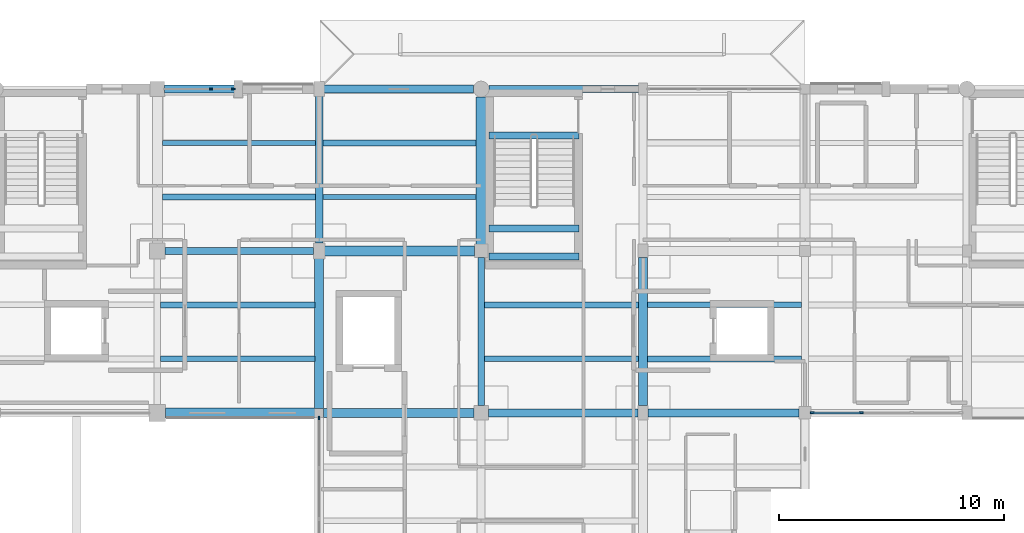
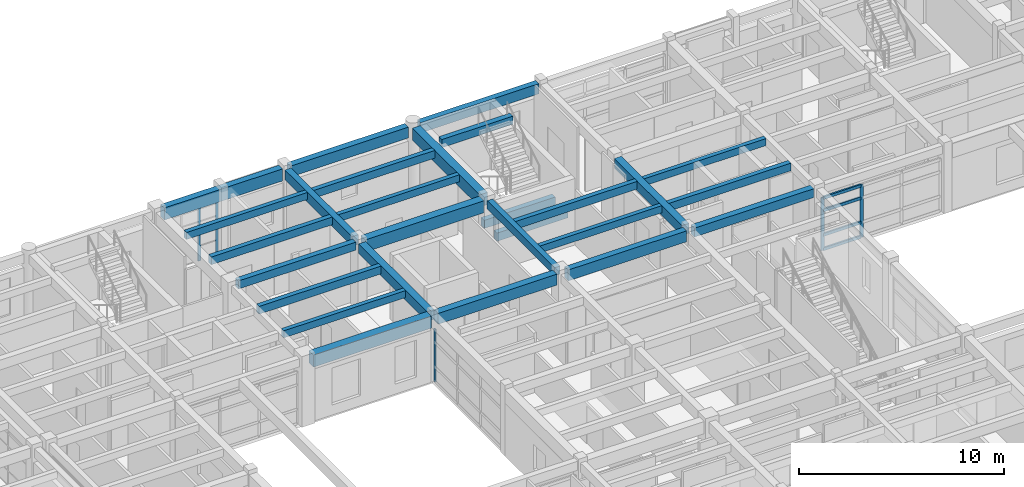
# One storey, part 37 of 110: 27 beams, 9 members, 3 elements without a shape of their own.
"""IFC4 building model written with IfcOpenShell, lengths in metres."""

from ifc_helpers import new_model, si_unit, direction, frame, origin, origin_2d, place, context, subcontext, project, spatial, rectangle, extrude, material, material_profile, profile_set, type_object, element, aggregate, save


model = new_model("IFC4")

# Units and contexts
model_context = context("Model", 3, precision=1e-05, world=origin(), true_north=direction((0.0, 1.0)))
body_context = subcontext(model_context, "Body", "Model", "MODEL_VIEW")
ifc_project = project(units=[si_unit("LENGTHUNIT", "METRE"), si_unit("AREAUNIT", "SQUARE_METRE"), si_unit("VOLUMEUNIT", "CUBIC_METRE"), si_unit("PLANEANGLEUNIT", "RADIAN"), si_unit("MASSUNIT", "GRAM", prefix="KILO")], contexts=[model_context])

# Site, building, storey
site_placement = place(None, origin())
site = spatial("IfcSite", under=ifc_project, at=site_placement, CompositionType="ELEMENT")
building_placement = place(site_placement, origin())
building = spatial("IfcBuilding", under=site, at=building_placement, Name="Steenspoor Specialist Clinic", CompositionType="ELEMENT")
storey_placement = place(building_placement, frame((0.0, 0.0, 4.800048828125)))
storey = spatial("IfcBuildingStorey", under=building, at=storey_placement, Name="L01", CompositionType="ELEMENT", Elevation=4.800048828125)

# Beams
ifc_material_1 = material(Name="Concrete C35/45", Category="concrete")
ifc_material_profile_1 = material_profile(ifc_material_1, rectangle(XDim=0.300048828125, YDim=0.47998046875, at=origin_2d()), Name="RC-BM-300X480")
ifc_profile_set_1 = profile_set([ifc_material_profile_1], Name="Concrete C35/45")
beam_type_1 = type_object("IfcBeamType", Name="BM-RC-300X480", PredefinedType="BEAM", material=ifc_profile_set_1)
for number, where, z_axis, x_axis, name in (
    (1, (81.550048828125, 102.14990234375, 1.659912109375), (1.0, 0.0, 0.0), (0.0, 1.0, 0.0), "Stair Mid-Landing Bearer 1 ST-V4C L01"),
    (2, (81.550048828125, 100.89990234375, 1.659912109375), (1.0, 0.0, 0.0), (0.0, 1.0, 0.0), "Stair Mid-Landing Bearer 2 ST-V4C L01"),
    (3, (81.550048828125, 106.280029296875, 3.9599609375), (1.0, 0.0, 0.0), (0.0, 1.0, 0.0), "Stair Well Trimmer Beam ST-V4C L01"),
):
    element("IfcBeam", number, at=place(storey_placement, frame(where, z_axis=z_axis, x_axis=x_axis)), inside=storey, type_object=beam_type_1, Name=name, PredefinedType="BEAM", context=body_context, shape_type="SweptSolid", body=[
        extrude(rectangle(XDim=0.300048828125, YDim=0.47998046875, at=origin_2d()), origin(), (0.0, 0.0, 1.0), 4.0),
    ])
beam_1_placement = place(storey_placement, frame((67.14501953125, 101.14990234375, 3.7099609375), z_axis=(1.0, 0.0, 0.0), x_axis=(0.0, 1.0, 0.0)))
element("IfcBeam", 4, at=beam_1_placement, inside=storey, type_object=beam_type_1, Name="BM-V4-L01-X0507", PredefinedType="BEAM", context=body_context, shape_type="SweptSolid", body=[
    extrude(rectangle(XDim=0.300048828125, YDim=0.47998046875, at=origin_2d()), origin(), (0.0, 0.0, 1.0), 6.60986328125),
])
beam_2_placement = place(storey_placement, frame((81.199951171875, 94.27001953125, 3.7099609375), z_axis=(0.0, 1.0, 0.0), x_axis=(-1.0, 0.0, 0.0)))
element("IfcBeam", 5, at=beam_2_placement, inside=storey, type_object=beam_type_1, Name="BM-V4-L01-Y0545", PredefinedType="BEAM", context=body_context, shape_type="SweptSolid", body=[
    extrude(rectangle(XDim=0.300048828125, YDim=0.47998046875, at=origin_2d()), origin(), (0.0, 0.0, 1.0), 6.5849609375),
])
ifc_material_profile_2 = material_profile(ifc_material_1, rectangle(XDim=0.35009765625, YDim=0.52001953125, at=origin_2d()), Name="RC-BM-350X520")
ifc_profile_set_2 = profile_set([ifc_material_profile_2], Name="Concrete C35/45")
beam_type_2 = type_object("IfcBeamType", Name="BM-RC-350X520", PredefinedType="BEAM", material=ifc_profile_set_2)
beam_3_placement = place(storey_placement, frame((88.6201171875, 93.949951171875, 3.68994140625), z_axis=(1.0, 0.0, 0.0), x_axis=(0.0, 1.0, 0.0)))
element("IfcBeam", 6, at=beam_3_placement, inside=storey, type_object=beam_type_2, Name="BM-V4-L01-X0502", PredefinedType="BEAM", context=body_context, shape_type="SweptSolid", body=[
    extrude(rectangle(XDim=0.35009765625, YDim=0.52001953125, at=origin_2d()), origin(), (0.0, 0.0, 1.0), 6.7099609375),
])
ifc_material_profile_3 = material_profile(ifc_material_1, rectangle(XDim=0.35009765625, YDim=0.580078125, at=origin_2d()), Name="RC-BM-350X580")
ifc_profile_set_3 = profile_set([ifc_material_profile_3], Name="Concrete C35/45")
beam_type_3 = type_object("IfcBeamType", Name="BM-RC-350X580", PredefinedType="BEAM", material=ifc_profile_set_3)
beam_4_placement = place(storey_placement, frame((74.0, 101.4951171875, 3.659912109375), z_axis=(0.0, 1.0, 0.0), x_axis=(-1.0, 0.0, 0.0)))
element("IfcBeam", 7, at=beam_4_placement, inside=storey, type_object=beam_type_3, Name="BM-V4-L01-Y0541", PredefinedType="BEAM", context=body_context, shape_type="SweptSolid", body=[
    extrude(rectangle(XDim=0.35009765625, YDim=0.580078125, at=origin_2d()), origin(), (0.0, 0.0, 1.0), 6.534912109375),
])
ifc_material_profile_4 = material_profile(ifc_material_1, rectangle(XDim=0.35009765625, YDim=0.64990234375, at=origin_2d()), Name="RC-BM-350X650")
ifc_profile_set_4 = profile_set([ifc_material_profile_4], Name="Concrete C35/45")
beam_type_4 = type_object("IfcBeamType", Name="BM-RC-350X650", PredefinedType="BEAM", material=ifc_profile_set_4)
beam_5_placement = place(storey_placement, frame((81.52001953125, 93.949951171875, 3.625), z_axis=(1.0, 0.0, 0.0), x_axis=(0.0, 1.0, 0.0)))
element("IfcBeam", 8, at=beam_5_placement, inside=storey, type_object=beam_type_4, Name="BM-V4-L01-X0501", PredefinedType="BEAM", context=body_context, shape_type="SweptSolid", body=[
    extrude(rectangle(XDim=0.35009765625, YDim=0.64990234375, at=origin_2d()), origin(), (0.0, 0.0, 1.0), 6.659912109375),
])
ifc_material_profile_5 = material_profile(ifc_material_1, rectangle(XDim=0.39990234375, YDim=0.580078125, at=origin_2d()), Name="RC-BM-400X580")
ifc_profile_set_5 = profile_set([ifc_material_profile_5], Name="Concrete C35/45")
beam_type_5 = type_object("IfcBeamType", Name="BM-RC-400X580", PredefinedType="BEAM", material=ifc_profile_set_5)
beam_6_placement = place(storey_placement, frame((74.0, 94.14501953125, 3.659912109375), z_axis=(0.0, 1.0, 0.0), x_axis=(-1.0, 0.0, 0.0)))
element("IfcBeam", 9, at=beam_6_placement, inside=storey, type_object=beam_type_5, Name="BM-V4-L01-Y0540", PredefinedType="BEAM", context=body_context, shape_type="SweptSolid", body=[
    extrude(rectangle(XDim=0.39990234375, YDim=0.580078125, at=origin_2d()), origin(), (0.0, 0.0, 1.0), 6.659912109375),
])
beam_7_placement = place(storey_placement, frame((88.39990234375, 94.27001953125, 3.659912109375), z_axis=(0.0, 1.0, 0.0), x_axis=(-1.0, 0.0, 0.0)))
element("IfcBeam", 10, at=beam_7_placement, inside=storey, type_object=beam_type_5, Name="BM-V4-L01-Y0550", PredefinedType="BEAM", context=body_context, shape_type="SweptSolid", body=[
    extrude(rectangle(XDim=0.39990234375, YDim=0.580078125, at=origin_2d()), origin(), (0.0, 0.0, 1.0), 6.5849609375),
])
ifc_material_profile_6 = material_profile(ifc_material_1, rectangle(XDim=0.39990234375, YDim=0.64990234375, at=origin_2d()), Name="RC-BM-400X650")
ifc_profile_set_6 = profile_set([ifc_material_profile_6], Name="Concrete C35/45")
beam_type_6 = type_object("IfcBeamType", Name="BM-RC-400X650", PredefinedType="BEAM", material=ifc_profile_set_6)
beam_8_placement = place(storey_placement, frame((74.195068359375, 93.949951171875, 3.625), z_axis=(1.0, 0.0, 0.0), x_axis=(0.0, 1.0, 0.0)))
element("IfcBeam", 11, at=beam_8_placement, inside=storey, type_object=beam_type_6, Name="BM-V4-L01-X0500", PredefinedType="BEAM", context=body_context, shape_type="SweptSolid", body=[
    extrude(rectangle(XDim=0.39990234375, YDim=0.64990234375, at=origin_2d()), origin(), (0.0, 0.0, 1.0), 6.684814453125),
])
ifc_material_profile_7 = material_profile(ifc_material_1, rectangle(XDim=0.449951171875, YDim=0.719970703125, at=origin_2d()), Name="RC-BM-450X720")
ifc_profile_set_7 = profile_set([ifc_material_profile_7], Name="Concrete C35/45")
beam_type_7 = type_object("IfcBeamType", Name="BM-RC-450X720", PredefinedType="BEAM", material=ifc_profile_set_7)
beam_9_placement = place(storey_placement, frame((67.169921875, 93.949951171875, 3.58984375), z_axis=(1.0, 0.0, 0.0), x_axis=(0.0, 1.0, 0.0)))
element("IfcBeam", 12, at=beam_9_placement, inside=storey, type_object=beam_type_7, Name="BM-V4-L01-X0499", PredefinedType="BEAM", context=body_context, shape_type="SweptSolid", body=[
    extrude(rectangle(XDim=0.449951171875, YDim=0.719970703125, at=origin_2d()), origin(), (0.0, 0.0, 1.0), 6.635009765625),
])
beam_10_placement = place(storey_placement, frame((74.2451171875, 101.14990234375, 3.58984375), z_axis=(1.0, 0.0, 0.0), x_axis=(0.0, 1.0, 0.0)))
element("IfcBeam", 13, at=beam_10_placement, inside=storey, type_object=beam_type_7, Name="BM-V4-L01-X0508", PredefinedType="BEAM", context=body_context, shape_type="SweptSolid", body=[
    extrude(rectangle(XDim=0.449951171875, YDim=0.719970703125, at=origin_2d()), origin(), (0.0, 0.0, 1.0), 6.659912109375),
])
beam_11_placement = place(storey_placement, frame((81.199951171875, 101.445068359375, 3.58984375), z_axis=(0.0, 1.0, 0.0), x_axis=(-1.0, 0.0, 0.0)))
element("IfcBeam", 14, at=beam_11_placement, inside=storey, type_object=beam_type_7, Name="BM-V4-L01-Y0546", PredefinedType="BEAM", context=body_context, shape_type="SweptSolid", body=[
    extrude(rectangle(XDim=0.449951171875, YDim=0.719970703125, at=origin_2d()), origin(), (0.0, 0.0, 1.0), 6.559814453125),
])

# Curtain wall, member
ifc_material_2 = material(Name="Thermally broken aluminium and low-emissivity glass", Category="aluminium")
curtain_wall_type_1 = type_object("IfcCurtainWallType", Name="CW-HALL-480X820", PredefinedType="USERDEFINED", material=ifc_material_2)
curtain_wall_1_placement = place(storey_placement, origin())
curtain_wall_1 = element("IfcCurtainWall", 15, at=curtain_wall_1_placement, inside=storey, type_object=curtain_wall_type_1, Name="Unitised Curtain Wall CW-V4-L01-075", ObjectType="UNITISED GLAZING", PredefinedType="USERDEFINED")
ifc_material_3 = material(Name="Thermally broken aluminium 6063-T6", Category="aluminium")
ifc_material_profile_8 = material_profile(ifc_material_3, rectangle(XDim=0.06494140625, YDim=0.14990234375, at=origin_2d()), Name="CWM-65X150")
ifc_profile_set_8 = profile_set([ifc_material_profile_8], Name="Thermally broken aluminium 6063-T6")
member_type_1 = type_object("IfcMemberType", Name="CW-MULL-65X150", PredefinedType="MULLION", material=ifc_profile_set_8)
member_1_placement = place(storey_placement, frame((74.0, 93.717529296875, 0.0), z_axis=(0.0, 0.0, 1.0), x_axis=(-1.0, 0.0, 0.0)))
member_1 = element("IfcMember", 16, at=member_1_placement, type_object=member_type_1, Name="CW-03 mullion 4", PredefinedType="MULLION", context=body_context, shape_type="SweptSolid", body=[
    extrude(rectangle(XDim=0.06494140625, YDim=0.14990234375, at=origin_2d()), origin(), (0.0, 0.0, 1.0), 3.1298828125),
])
aggregate(curtain_wall_1, [member_1])

# Curtain wall, members
curtain_wall_type_2 = type_object("IfcCurtainWallType", Name="CW-WLK-640X340", PredefinedType="USERDEFINED", material=ifc_material_2)
curtain_wall_2_placement = place(storey_placement, origin())
curtain_wall_2 = element("IfcCurtainWall", 17, at=curtain_wall_2_placement, inside=storey, type_object=curtain_wall_type_2, Name="Unitised Curtain Wall CW-V4-L01-068", ObjectType="UNITISED GLAZING", PredefinedType="USERDEFINED")
ifc_material_profile_9 = material_profile(ifc_material_3, rectangle(XDim=0.070068359375, YDim=0.1650390625, at=origin_2d()), Name="CWM-70X165")
ifc_profile_set_9 = profile_set([ifc_material_profile_9], Name="Thermally broken aluminium 6063-T6")
member_type_2 = type_object("IfcMemberType", Name="CW-MULL-70X165", PredefinedType="MULLION", material=ifc_profile_set_9)
member_2_placement = place(storey_placement, frame((69.181640625, 108.35009765625, 0.0), z_axis=(0.0, 0.0, 1.0), x_axis=(0.0, 1.0, 0.0)))
member_2 = element("IfcMember", 18, at=member_2_placement, type_object=member_type_2, Name="CW-20 mullion 3", PredefinedType="MULLION", context=body_context, shape_type="SweptSolid", body=[
    extrude(rectangle(XDim=0.070068359375, YDim=0.1650390625, at=origin_2d()), origin(), (0.0, 0.0, 1.0), 3.1298828125),
])
member_3_placement = place(storey_placement, frame((70.175048828125, 108.35009765625, 0.0), z_axis=(0.0, 0.0, 1.0), x_axis=(0.0, 1.0, 0.0)))
member_3 = element("IfcMember", 19, at=member_3_placement, type_object=member_type_2, Name="CW-20 mullion 4", PredefinedType="MULLION", context=body_context, shape_type="SweptSolid", body=[
    extrude(rectangle(XDim=0.070068359375, YDim=0.1650390625, at=origin_2d()), origin(), (0.0, 0.0, 1.0), 3.1298828125),
])
aggregate(curtain_wall_2, [member_2, member_3])

curtain_wall_type_3 = type_object("IfcCurtainWallType", Name="CW-L00-360X415", PredefinedType="USERDEFINED", material=ifc_material_2)
curtain_wall_3_placement = place(storey_placement, origin())
curtain_wall_3 = element("IfcCurtainWall", 20, at=curtain_wall_3_placement, inside=storey, type_object=curtain_wall_type_3, Name="Unitised Curtain Wall CW-V4-L01-079", ObjectType="UNITISED GLAZING", PredefinedType="USERDEFINED")
ifc_material_profile_10 = material_profile(ifc_material_3, rectangle(XDim=0.080078125, YDim=0.179931640625, at=origin_2d()), Name="CWM-80X180")
ifc_profile_set_10 = profile_set([ifc_material_profile_10], Name="Thermally broken aluminium 6063-T6")
member_type_3 = type_object("IfcMemberType", Name="CW-MULL-80X180", PredefinedType="MULLION", material=ifc_profile_set_10)
member_4_placement = place(storey_placement, frame((98.1083984375, 93.949951171875, 0.0), z_axis=(0.0, 0.0, 1.0), x_axis=(0.0, -1.0, 0.0)))
member_4 = element("IfcMember", 21, at=member_4_placement, type_object=member_type_3, Name="CW-07 mullion 3", PredefinedType="MULLION", context=body_context, shape_type="SweptSolid", body=[
    extrude(rectangle(XDim=0.080078125, YDim=0.179931640625, at=origin_2d()), origin(), (0.0, 0.0, 1.0), 3.1298828125),
])
member_5_placement = place(storey_placement, frame((95.9150390625, 93.949951171875, 0.0), z_axis=(0.0, 0.0, 1.0), x_axis=(0.0, -1.0, 0.0)))
member_5 = element("IfcMember", 22, at=member_5_placement, type_object=member_type_3, Name="CW-07 mullion 4", PredefinedType="MULLION", context=body_context, shape_type="SweptSolid", body=[
    extrude(rectangle(XDim=0.080078125, YDim=0.179931640625, at=origin_2d()), origin(), (0.0, 0.0, 1.0), 3.1298828125),
])
ifc_material_profile_11 = material_profile(ifc_material_3, rectangle(XDim=0.090087890625, YDim=0.175048828125, at=origin_2d()), Name="CWT-90X175")
ifc_profile_set_11 = profile_set([ifc_material_profile_11], Name="Thermally broken aluminium 6063-T6")
member_type_4 = type_object("IfcMemberType", Name="CW-TRAN-90X175", PredefinedType="USERDEFINED", material=ifc_profile_set_11)
member_6_placement = place(storey_placement, frame((98.068359375, 93.949951171875, 0.044921875), z_axis=(-1.0, 0.0, 0.0), x_axis=(0.0, -1.0, 0.0)))
member_6 = element("IfcMember", 23, at=member_6_placement, type_object=member_type_4, Name="CW-07 transom 3.1", ObjectType="TRANSOM", PredefinedType="USERDEFINED", context=body_context, shape_type="SweptSolid", body=[
    extrude(rectangle(XDim=0.090087890625, YDim=0.175048828125, at=origin_2d()), origin(), (0.0, 0.0, 1.0), 2.11328125),
])
member_7_placement = place(storey_placement, frame((98.068359375, 93.949951171875, 0.89990234375), z_axis=(-1.0, 0.0, 0.0), x_axis=(0.0, -1.0, 0.0)))
member_7 = element("IfcMember", 24, at=member_7_placement, type_object=member_type_4, Name="CW-07 transom 3.2", ObjectType="TRANSOM", PredefinedType="USERDEFINED", context=body_context, shape_type="SweptSolid", body=[
    extrude(rectangle(XDim=0.090087890625, YDim=0.175048828125, at=origin_2d()), origin(), (0.0, 0.0, 1.0), 2.11328125),
])
member_8_placement = place(storey_placement, frame((98.068359375, 93.949951171875, 2.349853515625), z_axis=(-1.0, 0.0, 0.0), x_axis=(0.0, -1.0, 0.0)))
member_8 = element("IfcMember", 25, at=member_8_placement, type_object=member_type_4, Name="CW-07 transom 3.3", ObjectType="TRANSOM", PredefinedType="USERDEFINED", context=body_context, shape_type="SweptSolid", body=[
    extrude(rectangle(XDim=0.090087890625, YDim=0.175048828125, at=origin_2d()), origin(), (0.0, 0.0, 1.0), 2.11328125),
])
member_9_placement = place(storey_placement, frame((98.068359375, 93.949951171875, 3.0849609375), z_axis=(-1.0, 0.0, 0.0), x_axis=(0.0, -1.0, 0.0)))
member_9 = element("IfcMember", 26, at=member_9_placement, type_object=member_type_4, Name="CW-07 transom 3.4", ObjectType="TRANSOM", PredefinedType="USERDEFINED", context=body_context, shape_type="SweptSolid", body=[
    extrude(rectangle(XDim=0.090087890625, YDim=0.175048828125, at=origin_2d()), origin(), (0.0, 0.0, 1.0), 2.11328125),
])
aggregate(curtain_wall_3, [member_4, member_5, member_6, member_7, member_8, member_9])

# Beams
ifc_material_profile_12 = material_profile(ifc_material_1, rectangle(XDim=0.239990234375, YDim=0.419921875, at=origin_2d()), Name="RC-JT-240X420")
ifc_profile_set_12 = profile_set([ifc_material_profile_12], Name="Concrete C35/45")
beam_type_8 = type_object("IfcBeamType", Name="JT-RC-240X420", PredefinedType="JOIST", material=ifc_profile_set_12)
beam_12_placement = place(storey_placement, frame((66.945068359375, 96.35009765625, 3.739990234375), z_axis=(1.0, 0.0, 0.0), x_axis=(0.0, 1.0, 0.0)))
element("IfcBeam", 27, at=beam_12_placement, inside=storey, type_object=beam_type_8, Name="JT-V4-L01-0592", PredefinedType="JOIST", context=body_context, shape_type="SweptSolid", body=[
    extrude(rectangle(XDim=0.239990234375, YDim=0.419921875, at=origin_2d()), origin(), (0.0, 0.0, 1.0), 6.85986328125),
])
for number, where, z_axis, x_axis, name in (
    (28, (67.02001953125, 105.949951171875, 3.739990234375), (1.0, 0.0, 0.0), (0.0, 1.0, 0.0), "JT-V4-L01-0595"),
    (29, (74.169921875, 103.550048828125, 3.739990234375), (1.0, 0.0, 0.0), (0.0, 1.0, 0.0), "JT-V4-L01-0602"),
):
    element("IfcBeam", number, at=place(storey_placement, frame(where, z_axis=z_axis, x_axis=x_axis)), inside=storey, type_object=beam_type_8, Name=name, PredefinedType="JOIST", context=body_context, shape_type="SweptSolid", body=[
        extrude(rectangle(XDim=0.239990234375, YDim=0.419921875, at=origin_2d()), origin(), (0.0, 0.0, 1.0), 6.81005859375),
    ])
for number, where, z_axis, x_axis, name in (
    (30, (81.344970703125, 96.35009765625, 3.739990234375), (1.0, 0.0, 0.0), (0.0, 1.0, 0.0), "JT-V4-L01-0610"),
    (31, (88.594970703125, 98.75, 3.739990234375), (1.0, 0.0, 0.0), (0.0, 1.0, 0.0), "JT-V4-L01-0616"),
):
    element("IfcBeam", number, at=place(storey_placement, frame(where, z_axis=z_axis, x_axis=x_axis)), inside=storey, type_object=beam_type_8, Name=name, PredefinedType="JOIST", context=body_context, shape_type="SweptSolid", body=[
        extrude(rectangle(XDim=0.239990234375, YDim=0.419921875, at=origin_2d()), origin(), (0.0, 0.0, 1.0), 6.860107421875),
    ])
ifc_material_profile_13 = material_profile(ifc_material_1, rectangle(XDim=0.260009765625, YDim=0.4599609375, at=origin_2d()), Name="RC-JT-260X460")
ifc_profile_set_13 = profile_set([ifc_material_profile_13], Name="Concrete C35/45")
beam_type_9 = type_object("IfcBeamType", Name="JT-RC-260X460", PredefinedType="JOIST", material=ifc_profile_set_13)
beam_13_placement = place(storey_placement, frame((66.945068359375, 98.75, 3.719970703125), z_axis=(1.0, 0.0, 0.0), x_axis=(0.0, 1.0, 0.0)))
element("IfcBeam", 32, at=beam_13_placement, inside=storey, type_object=beam_type_9, Name="JT-V4-L01-0593", PredefinedType="JOIST", context=body_context, shape_type="SweptSolid", body=[
    extrude(rectangle(XDim=0.260009765625, YDim=0.4599609375, at=origin_2d()), origin(), (0.0, 0.0, 1.0), 6.85986328125),
])
for number, where, z_axis, x_axis, name in (
    (33, (67.02001953125, 103.550048828125, 3.719970703125), (1.0, 0.0, 0.0), (0.0, 1.0, 0.0), "JT-V4-L01-0594"),
    (34, (74.169921875, 105.949951171875, 3.719970703125), (1.0, 0.0, 0.0), (0.0, 1.0, 0.0), "JT-V4-L01-0603"),
):
    element("IfcBeam", number, at=place(storey_placement, frame(where, z_axis=z_axis, x_axis=x_axis)), inside=storey, type_object=beam_type_9, Name=name, PredefinedType="JOIST", context=body_context, shape_type="SweptSolid", body=[
        extrude(rectangle(XDim=0.260009765625, YDim=0.4599609375, at=origin_2d()), origin(), (0.0, 0.0, 1.0), 6.81005859375),
    ])
for number, where, z_axis, x_axis, name in (
    (35, (81.344970703125, 98.75, 3.719970703125), (1.0, 0.0, 0.0), (0.0, 1.0, 0.0), "JT-V4-L01-0611"),
    (36, (88.594970703125, 96.35009765625, 3.719970703125), (1.0, 0.0, 0.0), (0.0, 1.0, 0.0), "JT-V4-L01-0615"),
):
    element("IfcBeam", number, at=place(storey_placement, frame(where, z_axis=z_axis, x_axis=x_axis)), inside=storey, type_object=beam_type_9, Name=name, PredefinedType="JOIST", context=body_context, shape_type="SweptSolid", body=[
        extrude(rectangle(XDim=0.260009765625, YDim=0.4599609375, at=origin_2d()), origin(), (0.0, 0.0, 1.0), 6.860107421875),
    ])
ifc_material_profile_14 = material_profile(ifc_material_1, rectangle(XDim=0.320068359375, YDim=0.60009765625, at=origin_2d()), Name="RC-SP-320X600")
ifc_profile_set_14 = profile_set([ifc_material_profile_14], Name="Concrete C35/45")
beam_type_10 = type_object("IfcBeamType", Name="SP-RC-320X600", PredefinedType="SPANDREL", material=ifc_profile_set_14)
beam_14_placement = place(storey_placement, frame((81.544921875, 108.35009765625, 3.64990234375), z_axis=(1.0, 0.0, 0.0), x_axis=(0.0, 1.0, 0.0)))
element("IfcBeam", 37, at=beam_14_placement, inside=storey, type_object=beam_type_10, Name="BM-V4-L01-X0516", PredefinedType="SPANDREL", context=body_context, shape_type="SweptSolid", body=[
    extrude(rectangle(XDim=0.320068359375, YDim=0.60009765625, at=origin_2d()), origin(), (0.0, 0.0, 1.0), 6.66015625),
])
ifc_material_profile_15 = material_profile(ifc_material_1, rectangle(XDim=0.360107421875, YDim=0.639892578125, at=origin_2d()), Name="RC-SP-360X640")
ifc_profile_set_15 = profile_set([ifc_material_profile_15], Name="Concrete C35/45")
beam_type_11 = type_object("IfcBeamType", Name="SP-RC-360X640", PredefinedType="SPANDREL", material=ifc_profile_set_15)
beam_15_placement = place(storey_placement, frame((74.219970703125, 108.35009765625, 3.6298828125), z_axis=(1.0, 0.0, 0.0), x_axis=(0.0, 1.0, 0.0)))
element("IfcBeam", 38, at=beam_15_placement, inside=storey, type_object=beam_type_11, Name="BM-V4-L01-X0515", PredefinedType="SPANDREL", context=body_context, shape_type="SweptSolid", body=[
    extrude(rectangle(XDim=0.360107421875, YDim=0.639892578125, at=origin_2d()), origin(), (0.0, 0.0, 1.0), 6.635009765625),
])
ifc_material_profile_16 = material_profile(ifc_material_1, rectangle(XDim=0.360107421875, YDim=0.719970703125, at=origin_2d()), Name="RC-SP-360X720")
ifc_profile_set_16 = profile_set([ifc_material_profile_16], Name="Concrete C35/45")
beam_type_12 = type_object("IfcBeamType", Name="SP-RC-360X720", PredefinedType="SPANDREL", material=ifc_profile_set_16)
beam_16_placement = place(storey_placement, frame((67.1201171875, 108.35009765625, 3.58984375), z_axis=(1.0, 0.0, 0.0), x_axis=(0.0, 1.0, 0.0)))
element("IfcBeam", 39, at=beam_16_placement, inside=storey, type_object=beam_type_12, Name="BM-V4-L01-X0514", PredefinedType="SPANDREL", context=body_context, shape_type="SweptSolid", body=[
    extrude(rectangle(XDim=0.360107421875, YDim=0.719970703125, at=origin_2d()), origin(), (0.0, 0.0, 1.0), 6.659912109375),
])

save(model, "model.ifc")
